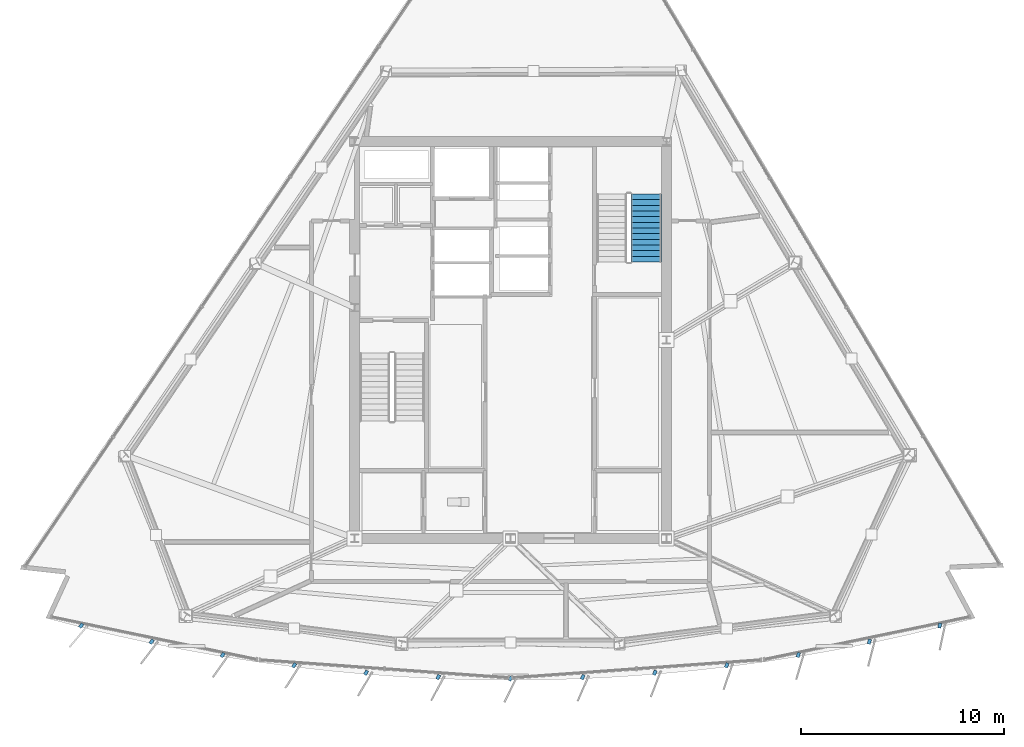
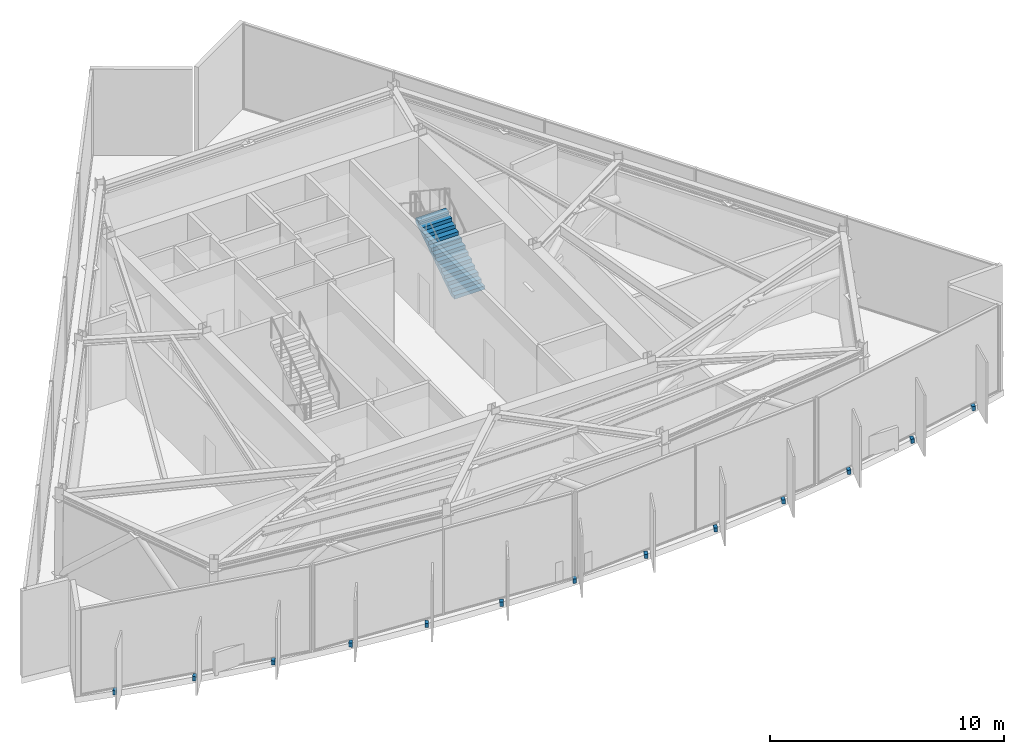
# One storey, part 10 of 14: 13 discrete accessories, 1 stair flight, 1 element without a shape of its own.
"""IFC4 building model written with IfcOpenShell, lengths in metres."""

from ifc_helpers import new_model, si_unit, direction, frame, origin, origin_2d, place, context, subcontext, project, spatial, polyline, rectangle, outline, extrude, material, type_object, element, aggregate, save


model = new_model("IFC4")

# Units and contexts
model_context = context("Model", 3, precision=1e-05, world=origin(), true_north=direction((0.0, 1.0)))
body_context = subcontext(model_context, "Body", "Model", "MODEL_VIEW")
ifc_project = project(units=[si_unit("LENGTHUNIT", "METRE"), si_unit("AREAUNIT", "SQUARE_METRE"), si_unit("VOLUMEUNIT", "CUBIC_METRE"), si_unit("PLANEANGLEUNIT", "RADIAN"), si_unit("MASSUNIT", "GRAM", prefix="KILO")], contexts=[model_context])

# Site, building, storey
site_placement = place(None, origin())
site = spatial("IfcSite", under=ifc_project, at=site_placement, CompositionType="ELEMENT")
building_placement = place(site_placement, origin())
building = spatial("IfcBuilding", under=site, at=building_placement, Name="Savorim Split Tower", CompositionType="ELEMENT")
storey_placement = place(building_placement, frame((0.0, 0.0, 241.5)))
storey = spatial("IfcBuildingStorey", under=building, at=storey_placement, Name="L64", CompositionType="ELEMENT", Elevation=241.5)

# Stair, stair flight
ifc_material_1 = material(Name="Concrete C50/60", Category="concrete")
stair_type = type_object("IfcStairType", Name="STR-DOG-4800", PredefinedType="HALF_TURN_STAIR", material=ifc_material_1)
stair_placement = place(storey_placement, origin())
stair = element("IfcStair", 1, at=stair_placement, inside=storey, type_object=stair_type, Name="L64 Core Protected Exit Stair ST-2", PredefinedType="HALF_TURN_STAIR")
stair_flight_type = type_object("IfcStairFlightType", Name="SFL-DOG-4800", PredefinedType="STRAIGHT", material=ifc_material_1)
stair_flight_placement = place(storey_placement, frame((6.699951171875, 4.25, 0.0), z_axis=(0.0, 0.0, 1.0), x_axis=(0.0, 1.0, 0.0)))
stair_flight = element("IfcStairFlight", 2, at=stair_flight_placement, type_object=stair_flight_type, Name="ST-2 flight 1", NumberOfRisers=13, NumberOfTreads=12, PredefinedType="STRAIGHT", RiserHeight=0.184615385, TreadLength=0.28, context=body_context, shape_type="SweptSolid", body=[
    extrude(outline(polyline([(0.0, 0.0), (0.0, 0.1845703125), (0.280029296875, 0.1845703125), (0.280029296875, 0.369140625), (0.56005859375, 0.369140625), (0.56005859375, 0.553955078125), (0.840087890625, 0.553955078125), (0.840087890625, 0.738525390625), (1.1201171875, 0.738525390625), (1.1201171875, 0.923095703125), (1.39990234375, 0.923095703125), (1.39990234375, 1.107666015625), (1.679931640625, 1.107666015625), (1.679931640625, 1.292236328125), (1.9599609375, 1.292236328125), (1.9599609375, 1.476806640625), (2.239990234375, 1.476806640625), (2.239990234375, 1.66162109375), (2.52001953125, 1.66162109375), (2.52001953125, 1.84619140625), (2.800048828125, 1.84619140625), (2.800048828125, 2.03076171875), (3.080078125, 2.03076171875), (3.080078125, 2.21533203125), (3.360107421875, 2.21533203125), (3.360107421875, 2.39990234375), (3.360107421875, 2.035888671875), (0.272216796875, 0.0), (0.0, 0.0)])), frame((0.0, 0.75, 0.0), z_axis=(0.0, -1.0, 0.0), x_axis=(1.0, 0.0, 0.0)), (0.0, 0.0, 1.0), 1.5),
])
aggregate(stair, [stair_flight])

# Discrete accessories
ifc_material_2 = material(Name="Steel S355", Category="steel")
discrete_accessory_type = type_object("IfcDiscreteAccessoryType", Name="ACC-BRK-FIN", PredefinedType="BRACKET", material=ifc_material_2)
for number, where, z_axis, x_axis, name in (
    (3, (-21.19970703125, -13.70703125, -0.18994140625), (0.0, 0.0, 1.0), (-0.643719022682, -0.765261928909, 0.0), "L64 Fin Slab-Edge Cleat Bracket 01"),
    (4, (-17.720947265625, -14.503662109375, -0.18994140625), (0.0, 0.0, 1.0), (-0.611868076908, -0.790959832394, 0.0), "L64 Fin Slab-Edge Cleat Bracket 02"),
    (5, (-14.21240234375, -15.1572265625, -0.18994140625), (0.0, 0.0, 1.0), (-0.578993757737, -0.815331974414, 0.0), "L64 Fin Slab-Edge Cleat Bracket 03"),
    (6, (-10.680419921875, -15.666748046875, -0.18994140625), (0.0, 0.0, 1.0), (-0.545148321708, -0.838339613366, 0.0), "L64 Fin Slab-Edge Cleat Bracket 04"),
    (7, (-7.130126953125, -16.03125, -0.18994140625), (0.0, 0.0, 1.0), (-0.510391336723, -0.859942255851, 0.0), "L64 Fin Slab-Edge Cleat Bracket 05"),
    (8, (-3.568115234375, -16.250244140625, -0.18994140625), (0.0, 0.0, 1.0), (-0.474778051978, -0.880105562623, 0.0), "L64 Fin Slab-Edge Cleat Bracket 06"),
    (9, (0.0, -16.3232421875, -0.18994140625), (0.0, 0.0, 1.0), (-0.438371146789, -0.898794046299, 0.0), "L64 Fin Slab-Edge Cleat Bracket 07"),
    (10, (3.568115234375, -16.250244140625, -0.18994140625), (0.0, 0.0, 1.0), (-0.401230091723, -0.915977299662, 0.0), "L64 Fin Slab-Edge Cleat Bracket 08"),
    (11, (7.130126953125, -16.03125, -0.18994140625), (0.0, 0.0, 1.0), (-0.363415461732, -0.931627179817, 0.0), "L64 Fin Slab-Edge Cleat Bracket 09"),
    (12, (10.680419921875, -15.666748046875, -0.18994140625), (0.0, 0.0, 1.0), (-0.324993810493, -0.945716143005, 0.0), "L64 Fin Slab-Edge Cleat Bracket 10"),
    (13, (14.21240234375, -15.1572265625, -0.18994140625), (0.0, 0.0, 1.0), (-0.286026212504, -0.958221793616, 0.0), "L64 Fin Slab-Edge Cleat Bracket 11"),
    (14, (17.720947265625, -14.503662109375, -0.18994140625), (0.0, 0.0, 1.0), (-0.246581250663, -0.969122121727, 0.0), "L64 Fin Slab-Edge Cleat Bracket 12"),
    (15, (21.19970703125, -13.70703125, -0.18994140625), (0.0, 0.0, 1.0), (-0.206721626106, -0.978399800337, 0.0), "L64 Fin Slab-Edge Cleat Bracket 13"),
):
    element("IfcDiscreteAccessory", number, at=place(storey_placement, frame(where, z_axis=z_axis, x_axis=x_axis)), inside=storey, type_object=discrete_accessory_type, Name=name, PredefinedType="BRACKET", context=body_context, shape_type="SweptSolid", body=[
        extrude(rectangle(XDim=0.239990234375, YDim=0.159912109375, at=origin_2d()), origin(), (0.0, 0.0, 1.0), 0.219970703125),
    ])

save(model, "model.ifc")
